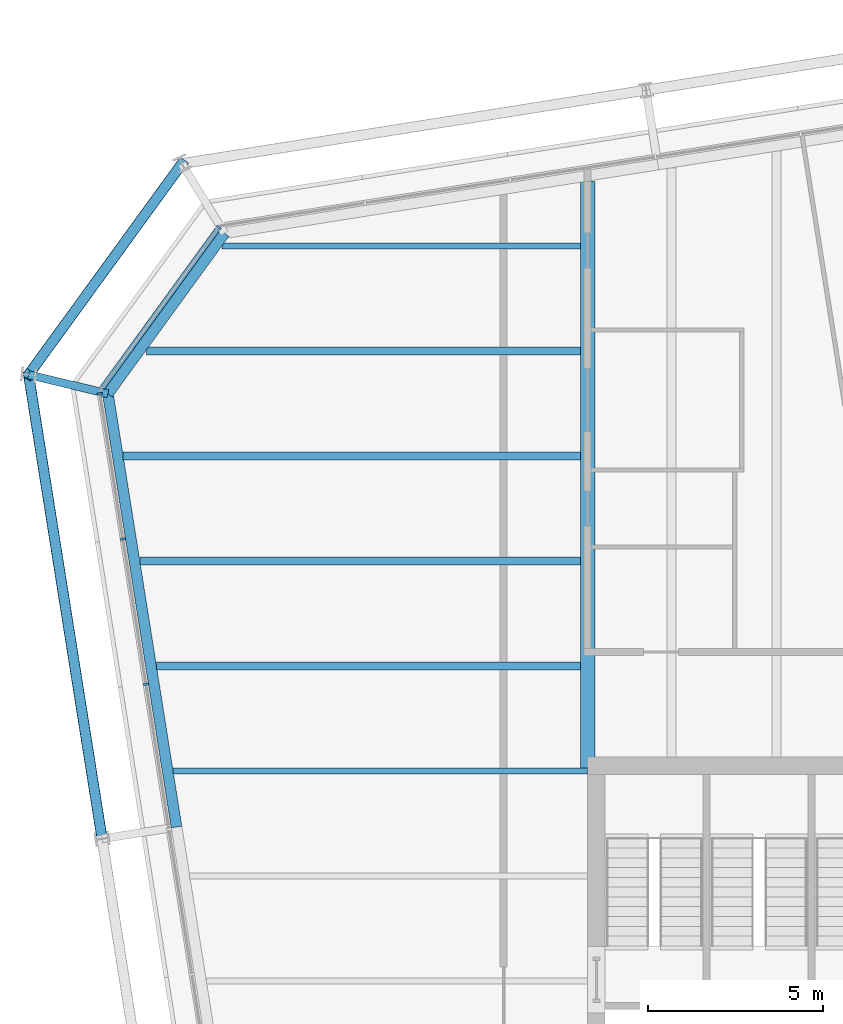
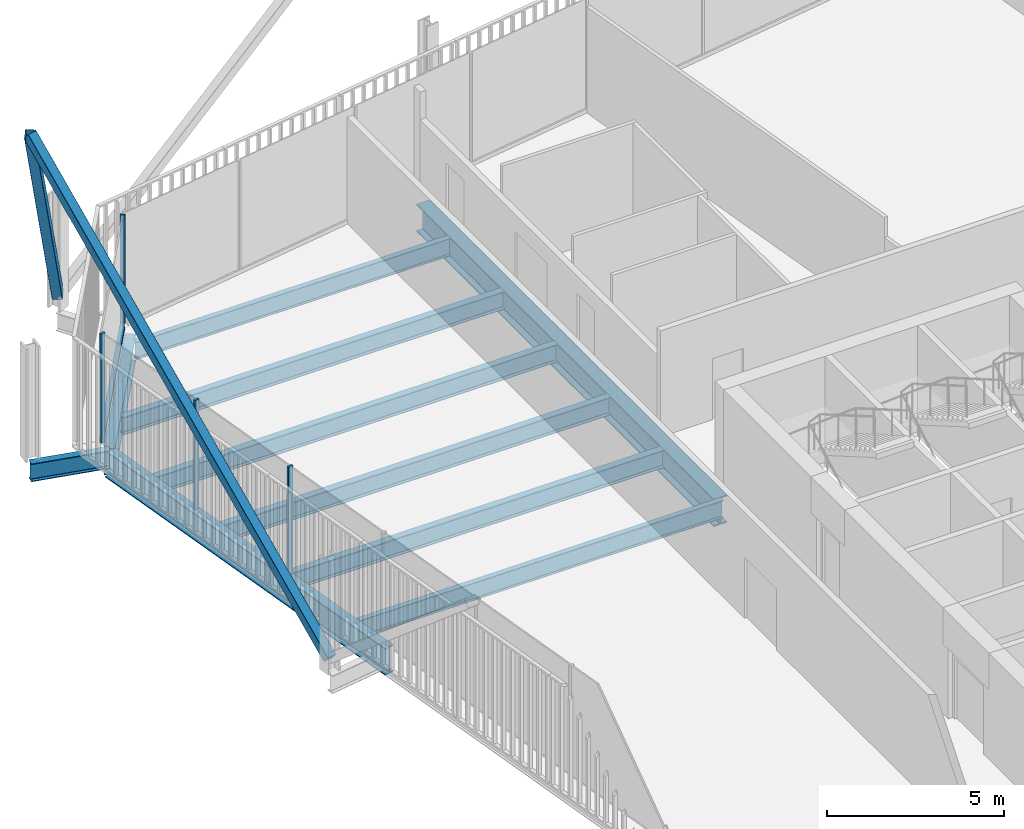
# One storey, part 11 of 21: 10 beams, 7 members, 2 elements without a shape of their own.
"""IFC4 building model written with IfcOpenShell, lengths in metres."""

from ifc_helpers import new_model, si_unit, direction, frame, origin, origin_2d, place, context, subcontext, project, spatial, rectangle, hollow_rectangle, i_section, extrude, material, layer, layer_set, material_profile, profile_set, type_object, element, aggregate, save


model = new_model("IFC4")

# Units and contexts
model_context = context("Model", 3, precision=1e-05, world=origin(), true_north=direction((0.0, 1.0)))
body_context = subcontext(model_context, "Body", "Model", "MODEL_VIEW")
ifc_project = project(units=[si_unit("LENGTHUNIT", "METRE"), si_unit("AREAUNIT", "SQUARE_METRE"), si_unit("VOLUMEUNIT", "CUBIC_METRE"), si_unit("PLANEANGLEUNIT", "RADIAN"), si_unit("MASSUNIT", "GRAM", prefix="KILO")], contexts=[model_context])

# Site, building, storey
site_placement = place(None, origin())
site = spatial("IfcSite", under=ifc_project, at=site_placement, CompositionType="ELEMENT")
building_placement = place(site_placement, origin())
building = spatial("IfcBuilding", under=site, at=building_placement, Name="Millrace Tower", CompositionType="ELEMENT")
storey_placement = place(building_placement, frame((0.0, 0.0, 235.89990234375)))
storey = spatial("IfcBuildingStorey", under=building, at=storey_placement, Name="L54", CompositionType="ELEMENT", Elevation=235.89990234375)

# Curtain wall, member
ifc_material_1 = material(Name="Aluminium and glass", Category="aluminium")
ifc_layer = layer(ifc_material_1, 0.14990234375)
ifc_layer_set = layer_set([ifc_layer], Name="Aluminium and glass")
curtain_wall_type = type_object("IfcCurtainWallType", Name="CW-1 office vision curtain wall", PredefinedType="NOTDEFINED", material=ifc_layer_set)
placement = place(storey_placement, origin())
curtain_wall_1 = element("IfcCurtainWall", 1, at=placement, inside=storey, type_object=curtain_wall_type, Name="Curtain wall D-F07 L54", PredefinedType="NOTDEFINED")
ifc_material_2 = material(Name="Aluminium", Category="aluminium")
ifc_material_profile_1 = material_profile(ifc_material_2, rectangle(XDim=0.06494140625, YDim=0.14990234375, at=origin_2d()))
ifc_profile_set_1 = profile_set([ifc_material_profile_1], Name="Aluminium")
member_type_1 = type_object("IfcMemberType", Name="CW-1 office vision curtain wall mullion", PredefinedType="MULLION", material=ifc_profile_set_1)
member_1_placement = place(storey_placement, frame((-24.945068359375, 24.528076171875, 0.14013671875), z_axis=(0.0, 0.0, 1.0), x_axis=(-0.587785305991, -0.809016955361, 0.0)))
member_1 = element("IfcMember", 2, at=member_1_placement, type_object=member_type_1, Name="CW1 mullion D-F07.1", PredefinedType="MULLION", context=body_context, shape_type="SweptSolid", body=[
    extrude(rectangle(XDim=0.06494140625, YDim=0.14990234375, at=origin_2d()), origin(), (0.0, 0.0, 1.0), 3.760009765625),
])

# Curtain wall, members
curtain_wall_2 = element("IfcCurtainWall", 3, at=placement, inside=storey, type_object=curtain_wall_type, Name="Curtain wall D-F08 L54", PredefinedType="NOTDEFINED")
member_2_placement = place(storey_placement, frame((-28.342529296875, 19.775390625, 0.14013671875), z_axis=(0.0, 0.0, 1.0), x_axis=(0.156434471884, -0.987688339511, 0.0)))
member_2 = element("IfcMember", 4, at=member_2_placement, type_object=member_type_1, Name="CW1 mullion D-F08.1", PredefinedType="MULLION", context=body_context, shape_type="SweptSolid", body=[
    extrude(rectangle(XDim=0.06494140625, YDim=0.14990234375, at=origin_2d()), origin(), (0.0, 0.0, 1.0), 3.760009765625),
])
member_3_placement = place(storey_placement, frame((-27.685302734375, 15.627197265625, 0.14013671875), z_axis=(0.0, 0.0, 1.0), x_axis=(0.156434471884, -0.987688339511, 0.0)))
member_3 = element("IfcMember", 5, at=member_3_placement, type_object=member_type_1, Name="CW1 mullion D-F08.2", PredefinedType="MULLION", context=body_context, shape_type="SweptSolid", body=[
    extrude(rectangle(XDim=0.06494140625, YDim=0.14990234375, at=origin_2d()), origin(), (0.0, 0.0, 1.0), 3.760009765625),
])
member_4_placement = place(storey_placement, frame((-27.0283203125, 11.47900390625, 0.14013671875), z_axis=(0.0, 0.0, 1.0), x_axis=(0.156434471884, -0.987688339511, 0.0)))
member_4 = element("IfcMember", 6, at=member_4_placement, type_object=member_type_1, Name="CW1 mullion D-F08.3", PredefinedType="MULLION", context=body_context, shape_type="SweptSolid", body=[
    extrude(rectangle(XDim=0.06494140625, YDim=0.14990234375, at=origin_2d()), origin(), (0.0, 0.0, 1.0), 3.760009765625),
])
aggregate(curtain_wall_2, [member_2, member_3, member_4])

# Member
ifc_material_3 = material(Name="Aluminium", Category="aluminium")
ifc_material_profile_2 = material_profile(ifc_material_3, rectangle(XDim=0.14990234375, YDim=0.139892578125, at=origin_2d()))
ifc_profile_set_2 = profile_set([ifc_material_profile_2], Name="Aluminium")
member_type_2 = type_object("IfcMemberType", Name="CW-1 office vision curtain wall transom", PredefinedType="USERDEFINED", material=ifc_profile_set_2)
member_5_placement = place(storey_placement, frame((-24.98486328125, 24.473388671875, 0.070068359375), z_axis=(-0.587782670904, -0.809018869857, 0.0), x_axis=(0.809018869857, -0.587782670904, 0.0)))
member_5 = element("IfcMember", 7, at=member_5_placement, type_object=member_type_2, Name="CW1 transom D-F07.1", ObjectType="TRANSOM", PredefinedType="USERDEFINED", context=body_context, shape_type="SweptSolid", body=[
    extrude(rectangle(XDim=0.14990234375, YDim=0.139892578125, at=origin_2d()), origin(), (0.0, 0.0, 1.0), 5.59814453125),
])

aggregate(curtain_wall_1, [member_1, member_5])

# Members
ifc_material_4 = material(Name="Steel ASTM A500 Grade C", Category="steel")
ifc_material_profile_3 = material_profile(ifc_material_4, hollow_rectangle(XDim=0.3046875, YDim=0.3046875, WallThickness=0.009521484375, InnerFilletRadius=0.004638671875, OuterFilletRadius=0.014404296875, at=origin_2d()))
ifc_profile_set_3 = profile_set([ifc_material_profile_3], Name="Steel ASTM A500 Grade C")
member_type_3 = type_object("IfcMemberType", Name="Exoskeleton brace HSS12x12x3/8", PredefinedType="BRACE", material=ifc_profile_set_3)
member_6_placement = place(storey_placement, frame((-25.996337890625, 26.35595703125, 0.400146484375), z_axis=(-0.336023439139, -0.462483873223, 0.820485780107), x_axis=(0.809009310944, -0.587795827483, 0.0)))
element("IfcMember", 8, at=member_6_placement, inside=storey, type_object=member_type_3, Name="BRC-D-L54-13", PredefinedType="BRACE", context=body_context, shape_type="SweptSolid", body=[
    extrude(hollow_rectangle(XDim=0.3046875, YDim=0.3046875, WallThickness=0.009521484375, InnerFilletRadius=0.004638671875, OuterFilletRadius=0.014404296875, at=origin_2d()), origin(), (0.0, 0.0, 1.0), 13.041015625),
])
member_7_placement = place(storey_placement, frame((-28.27783203125, 7.0615234375, 0.400146484375), z_axis=(-0.122339528742, 0.772456675785, 0.623172306623), x_axis=(-0.987689444837, -0.156427492975, 0.0)))
element("IfcMember", 9, at=member_7_placement, inside=storey, type_object=member_type_3, Name="BRC-D-L54-14", PredefinedType="BRACE", context=body_context, shape_type="SweptSolid", body=[
    extrude(hollow_rectangle(XDim=0.3046875, YDim=0.3046875, WallThickness=0.009521484375, InnerFilletRadius=0.004638671875, OuterFilletRadius=0.014404296875, at=origin_2d()), origin(), (0.0, 0.0, 1.0), 17.170166015625),
])

# Beams
ifc_material_5 = material(Name="Steel ASTM A992 Grade 50", Category="steel")
ifc_material_profile_4 = material_profile(ifc_material_5, i_section(OverallWidth=0.1787109375, OverallDepth=0.60205078125, WebThickness=0.010986328125, FlangeThickness=0.014892578125, FilletRadius=0.0126953125, at=origin_2d()))
ifc_profile_set_4 = profile_set([ifc_material_profile_4], Name="Steel ASTM A992 Grade 50")
beam_type_1 = type_object("IfcBeamType", Name="Floor beam W24x62", PredefinedType="JOIST", material=ifc_profile_set_4)
beam_1_placement = place(storey_placement, frame((-26.248779296875, 9.0, -0.4609375), z_axis=(1.0, 0.0, 0.0), x_axis=(0.0, 1.0, 0.0)))
element("IfcBeam", 10, at=beam_1_placement, inside=storey, type_object=beam_type_1, Name="BM-D-L54-S1-S023", PredefinedType="JOIST", context=body_context, shape_type="SweptSolid", body=[
    extrude(i_section(OverallWidth=0.1787109375, OverallDepth=0.60205078125, WebThickness=0.010986328125, FlangeThickness=0.014892578125, FilletRadius=0.0126953125, at=origin_2d()), origin(), (0.0, 0.0, 1.0), 11.848876953125),
])
beam_2_placement = place(storey_placement, frame((-24.843994140625, 24.0, -0.4609375), z_axis=(1.0, 0.0, 0.0), x_axis=(0.0, 1.0, 0.0)))
element("IfcBeam", 11, at=beam_2_placement, inside=storey, type_object=beam_type_1, Name="BM-D-L54-S1-S033", PredefinedType="JOIST", context=body_context, shape_type="SweptSolid", body=[
    extrude(i_section(OverallWidth=0.1787109375, OverallDepth=0.60205078125, WebThickness=0.010986328125, FlangeThickness=0.014892578125, FilletRadius=0.0126953125, at=origin_2d()), origin(), (0.0, 0.0, 1.0), 10.234375),
])
ifc_material_6 = material(Name="Steel ASTM A992 Grade 50", Category="steel")
ifc_material_profile_5 = material_profile(ifc_material_6, i_section(OverallWidth=0.228271484375, OverallDepth=0.607177734375, WebThickness=0.01123046875, FlangeThickness=0.017333984375, FilletRadius=0.0126953125, at=origin_2d()))
ifc_profile_set_5 = profile_set([ifc_material_profile_5], Name="Steel ASTM A992 Grade 50")
beam_type_2 = type_object("IfcBeamType", Name="Floor beam W24x76", PredefinedType="JOIST", material=ifc_profile_set_5)
beam_3_placement = place(storey_placement, frame((-26.723876953125, 12.0, -0.46337890625), z_axis=(1.0, 0.0, 0.0), x_axis=(0.0, 1.0, 0.0)))
element("IfcBeam", 12, at=beam_3_placement, inside=storey, type_object=beam_type_2, Name="BM-D-L54-S1-S025", PredefinedType="JOIST", context=body_context, shape_type="SweptSolid", body=[
    extrude(i_section(OverallWidth=0.228271484375, OverallDepth=0.607177734375, WebThickness=0.01123046875, FlangeThickness=0.017333984375, FilletRadius=0.0126953125, at=origin_2d()), origin(), (0.0, 0.0, 1.0), 12.1142578125),
])
beam_4_placement = place(storey_placement, frame((-27.198974609375, 15.0, -0.46337890625), z_axis=(1.0, 0.0, 0.0), x_axis=(0.0, 1.0, 0.0)))
element("IfcBeam", 13, at=beam_4_placement, inside=storey, type_object=beam_type_2, Name="BM-D-L54-S1-S027", PredefinedType="JOIST", context=body_context, shape_type="SweptSolid", body=[
    extrude(i_section(OverallWidth=0.228271484375, OverallDepth=0.607177734375, WebThickness=0.01123046875, FlangeThickness=0.017333984375, FilletRadius=0.0126953125, at=origin_2d()), origin(), (0.0, 0.0, 1.0), 12.58935546875),
])
beam_5_placement = place(storey_placement, frame((-27.674072265625, 18.0, -0.46337890625), z_axis=(1.0, 0.0, 0.0), x_axis=(0.0, 1.0, 0.0)))
element("IfcBeam", 14, at=beam_5_placement, inside=storey, type_object=beam_type_2, Name="BM-D-L54-S1-S029", PredefinedType="JOIST", context=body_context, shape_type="SweptSolid", body=[
    extrude(i_section(OverallWidth=0.228271484375, OverallDepth=0.607177734375, WebThickness=0.01123046875, FlangeThickness=0.017333984375, FilletRadius=0.0126953125, at=origin_2d()), origin(), (0.0, 0.0, 1.0), 13.064453125),
])
beam_6_placement = place(storey_placement, frame((-27.0078125, 21.0, -0.46337890625), z_axis=(1.0, 0.0, 0.0), x_axis=(0.0, 1.0, 0.0)))
element("IfcBeam", 15, at=beam_6_placement, inside=storey, type_object=beam_type_2, Name="BM-D-L54-S1-S031", PredefinedType="JOIST", context=body_context, shape_type="SweptSolid", body=[
    extrude(i_section(OverallWidth=0.228271484375, OverallDepth=0.607177734375, WebThickness=0.01123046875, FlangeThickness=0.017333984375, FilletRadius=0.0126953125, at=origin_2d()), origin(), (0.0, 0.0, 1.0), 12.398193359375),
])
ifc_material_7 = material(Name="Steel ASTM A992 Grade 50", Category="steel")
ifc_material_profile_6 = material_profile(ifc_material_7, i_section(OverallWidth=0.424072265625, OverallDepth=0.947509765625, WebThickness=0.02392578125, FlangeThickness=0.042724609375, FilletRadius=0.024169921875, at=origin_2d()))
ifc_profile_set_6 = profile_set([ifc_material_profile_6], Name="Steel ASTM A992 Grade 50")
beam_type_3 = type_object("IfcBeamType", Name="Girder medium span W36x302", PredefinedType="BEAM", material=ifc_profile_set_6)
beam_7_placement = place(storey_placement, frame((-14.39990234375, 9.092041015625, -0.633544921875), z_axis=(0.0, 1.0, 0.0), x_axis=(-1.0, 0.0, 0.0)))
element("IfcBeam", 16, at=beam_7_placement, inside=storey, type_object=beam_type_3, Name="BM-D-L54-S1-G054", PredefinedType="BEAM", context=body_context, shape_type="SweptSolid", body=[
    extrude(i_section(OverallWidth=0.424072265625, OverallDepth=0.947509765625, WebThickness=0.02392578125, FlangeThickness=0.042724609375, FilletRadius=0.024169921875, at=origin_2d()), origin(), (0.0, 0.0, 1.0), 16.756591796875),
])
ifc_material_8 = material(Name="Steel ASTM A992 Grade 50", Category="steel")
ifc_material_profile_7 = material_profile(ifc_material_8, i_section(OverallWidth=0.23046875, OverallDepth=0.6171875, WebThickness=0.01318359375, FlangeThickness=0.022216796875, FilletRadius=0.012939453125, at=origin_2d()))
ifc_profile_set_7 = profile_set([ifc_material_profile_7], Name="Steel ASTM A992 Grade 50")
beam_type_4 = type_object("IfcBeamType", Name="Link beam W24x94", PredefinedType="BEAM", material=ifc_profile_set_7)
beam_8_placement = place(storey_placement, frame((-28.11181640625, 19.780517578125, -0.468505859375), z_axis=(-0.972367333652, 0.233456138164, 0.0), x_axis=(-0.233456138164, -0.972367333652, 0.0)))
element("IfcBeam", 17, at=beam_8_placement, inside=storey, type_object=beam_type_4, Name="LNK-D-L54-S1-04", PredefinedType="BEAM", context=body_context, shape_type="SweptSolid", body=[
    extrude(i_section(OverallWidth=0.23046875, OverallDepth=0.6171875, WebThickness=0.01318359375, FlangeThickness=0.022216796875, FilletRadius=0.012939453125, at=origin_2d()), origin(), (0.0, 0.0, 1.0), 2.3310546875),
])
ifc_material_9 = material(Name="Steel ASTM A992 Grade 50", Category="steel")
ifc_material_profile_8 = material_profile(ifc_material_9, i_section(OverallWidth=0.307373046875, OverallDepth=0.927001953125, WebThickness=0.01953125, FlangeThickness=0.031982421875, FilletRadius=0.01904296875, at=origin_2d()))
ifc_profile_set_8 = profile_set([ifc_material_profile_8], Name="Steel ASTM A992 Grade 50")
beam_type_5 = type_object("IfcBeamType", Name="Ring beam medium span W36x194", PredefinedType="SPANDREL", material=ifc_profile_set_8)
beam_9_placement = place(storey_placement, frame((-26.150634765625, 7.3984375, -0.62353515625), z_axis=(-0.156438575049, 0.987687689625, 0.0), x_axis=(-0.987687689625, -0.156438575049, 0.0)))
element("IfcBeam", 18, at=beam_9_placement, inside=storey, type_object=beam_type_5, Name="RNG-D-L54-S1-03", PredefinedType="SPANDREL", context=body_context, shape_type="SweptSolid", body=[
    extrude(i_section(OverallWidth=0.307373046875, OverallDepth=0.927001953125, WebThickness=0.01953125, FlangeThickness=0.031982421875, FilletRadius=0.01904296875, at=origin_2d()), origin(), (0.0, 0.0, 1.0), 12.536376953125),
])
ifc_material_10 = material(Name="Steel ASTM A992 Grade 50", Category="steel")
ifc_material_profile_9 = material_profile(ifc_material_10, i_section(OverallWidth=0.307373046875, OverallDepth=0.927001953125, WebThickness=0.01953125, FlangeThickness=0.031982421875, FilletRadius=0.01904296875, at=origin_2d()))
ifc_profile_set_9 = profile_set([ifc_material_profile_9], Name="Steel ASTM A992 Grade 50")
beam_type_6 = type_object("IfcBeamType", Name="Ring beam short span W36x194", PredefinedType="SPANDREL", material=ifc_profile_set_9)
beam_10_placement = place(storey_placement, frame((-28.11181640625, 19.780517578125, -0.62353515625), z_axis=(0.587808154511, 0.809000354444, 0.0), x_axis=(-0.809000354444, 0.587808154511, 0.0)))
element("IfcBeam", 19, at=beam_10_placement, inside=storey, type_object=beam_type_6, Name="RNG-D-L54-S1-04", PredefinedType="SPANDREL", context=body_context, shape_type="SweptSolid", body=[
    extrude(i_section(OverallWidth=0.307373046875, OverallDepth=0.927001953125, WebThickness=0.01953125, FlangeThickness=0.031982421875, FilletRadius=0.01904296875, at=origin_2d()), origin(), (0.0, 0.0, 1.0), 5.671142578125),
])

save(model, "model.ifc")
